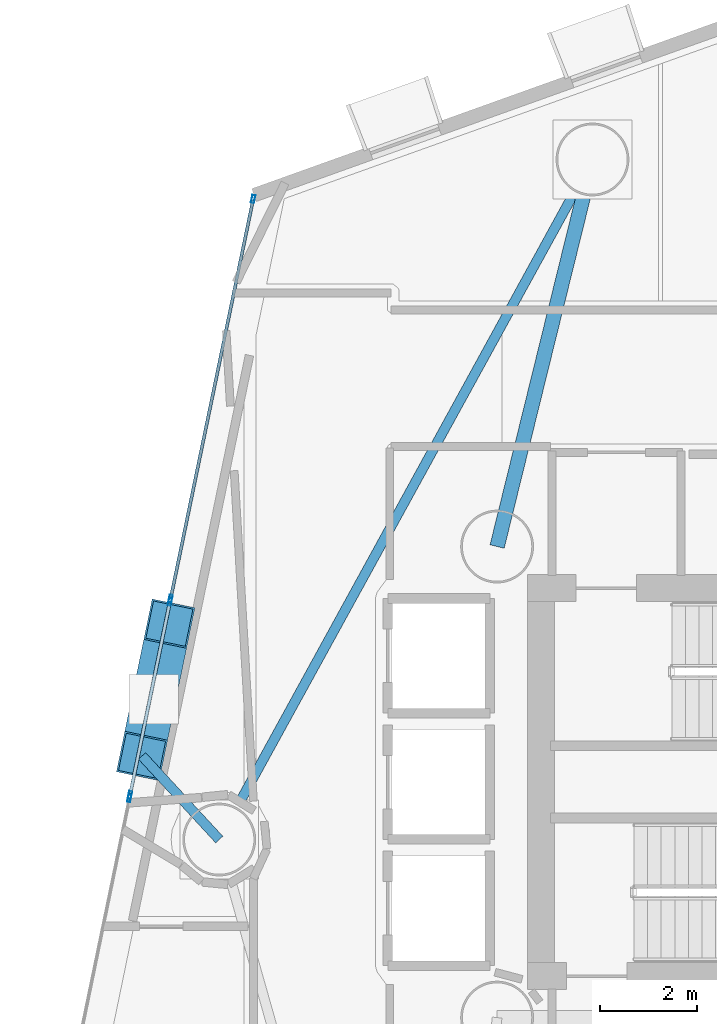
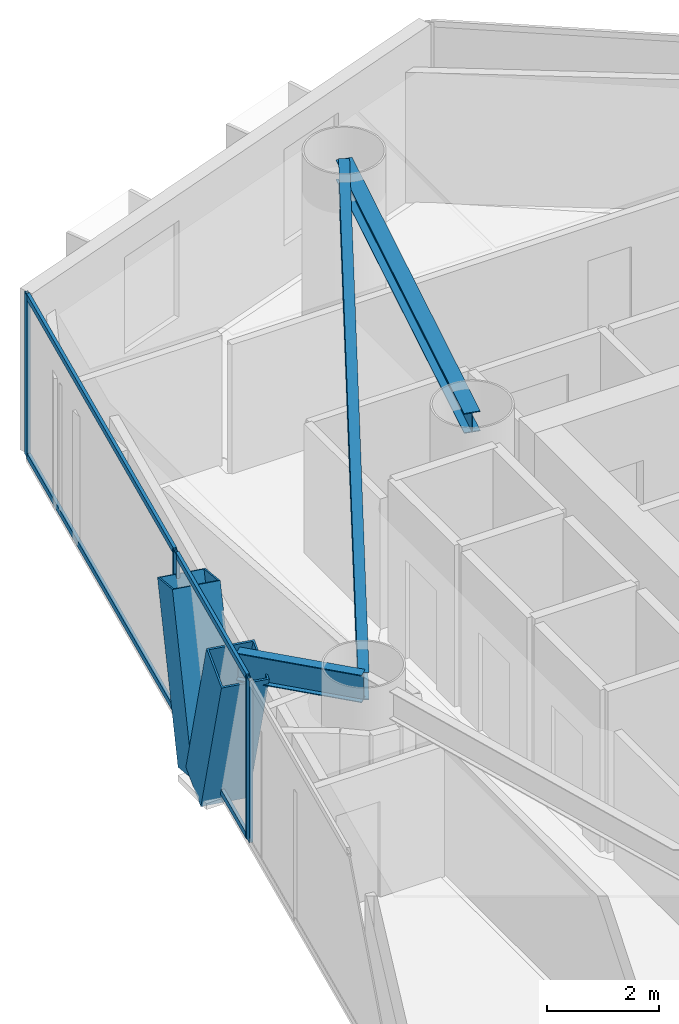
# One storey, part 6 of 18: 11 members, 3 beams, 3 elements without a shape of their own.
"""IFC4 building model written with IfcOpenShell, lengths in metres."""

import ifcopenshell
import ifcopenshell.guid

model = None  # the IFC model being written
_history = None  # IfcOwnerHistory: only IFC2X3 demands one
_inside = {}  # id of a spatial element -> (the spatial element, [elements in it])
_under = {}  # id of a project, library or spatial element -> (it, [spatial elements below it])
_declared = {}  # id of a project -> (the project, [libraries it declares])
_typed = {}  # id of a type object -> (the type object, [elements of that type])
_made_of = {}  # id of a material, layer set ... -> (it, [elements and type objects made of it])


def new_model(schema):
    """Start an empty IFC model of exactly this schema.

    Asked for "IFC4X3", IfcOpenShell would pick the latest addendum, in which some entities
    have other attributes; the version numbers below select the first issue.
    IFC2X3 requires an IfcOwnerHistory on every rooted entity: one is made here for all.
    """
    global model, _history
    if schema == "IFC4X3":
        model = ifcopenshell.file(schema_version=(4, 3, 0, 0))
    else:
        model = ifcopenshell.file(schema=schema)
    _inside.clear()
    _under.clear()
    _declared.clear()
    _typed.clear()
    _made_of.clear()
    _history = None
    if model.schema == "IFC2X3":
        org = make("IfcOrganization", Name="unknown")
        user = make(
            "IfcPersonAndOrganization",
            ThePerson=make("IfcPerson", FamilyName="unknown"),
            TheOrganization=org,
        )
        app = make(
            "IfcApplication",
            ApplicationDeveloper=org,
            Version="unknown",
            ApplicationFullName="unknown",
            ApplicationIdentifier="unknown",
        )
        _history = make(
            "IfcOwnerHistory",
            OwningUser=user,
            OwningApplication=app,
            ChangeAction="ADDED",
            CreationDate=0,
        )
    return model


def make(cls, **values):
    """One entity of the class cls with the attributes given. An attribute that is None is left unset."""
    return model.create_entity(
        cls, **{name: value for name, value in values.items() if value is not None}
    )


def rooted(cls, **values):
    """An entity with a GlobalId (a new one), such as an element, a storey or a relation."""
    return make(cls, GlobalId=ifcopenshell.guid.new(), OwnerHistory=_history, **values)


def si_unit(unit_type, name, prefix=None):
    """IfcSIUnit, for example si_unit("LENGTHUNIT", "METRE", prefix="MILLI")."""
    return make("IfcSIUnit", UnitType=unit_type, Prefix=prefix, Name=name)


def assignment(units):
    """IfcUnitAssignment: the units of a project."""
    return None if units is None else make("IfcUnitAssignment", Units=units)


def point(xyz):
    """IfcCartesianPoint."""
    return None if xyz is None else make("IfcCartesianPoint", Coordinates=xyz)


def direction(xyz):
    """IfcDirection."""
    return None if xyz is None else make("IfcDirection", DirectionRatios=xyz)


def frame(location, z_axis=None, x_axis=None):
    """IfcAxis2Placement3D, a coordinate frame: its origin and axes. An axis left out is left unset."""
    return make(
        "IfcAxis2Placement3D",
        Location=point(location),
        Axis=direction(z_axis),
        RefDirection=direction(x_axis),
    )


def frame_2d(location, x_axis=None):
    """IfcAxis2Placement2D, a coordinate frame in the plane: its origin and x axis."""
    return make(
        "IfcAxis2Placement2D", Location=point(location), RefDirection=direction(x_axis)
    )


def origin():
    """The frame at (0, 0, 0) with its axes left unset."""
    return frame((0.0, 0.0, 0.0))


def origin_2d():
    """The frame at (0, 0) in the plane with its x axis left unset."""
    return frame_2d((0.0, 0.0))


def place(relative_to, where):
    """IfcLocalPlacement: puts the frame where relative to a parent placement (None: the world)."""
    return make(
        "IfcLocalPlacement", PlacementRelTo=relative_to, RelativePlacement=where
    )


def context(
    kind, dimensions, precision=None, world=None, true_north=None, identifier=None
):
    """IfcGeometricRepresentationContext, for example the 3D "Model" context."""
    return make(
        "IfcGeometricRepresentationContext",
        ContextIdentifier=identifier,
        ContextType=kind,
        CoordinateSpaceDimension=dimensions,
        Precision=precision,
        WorldCoordinateSystem=world,
        TrueNorth=true_north,
    )


def subcontext(parent, identifier, kind, view, scale=None):
    """IfcGeometricRepresentationSubContext, for example "Body" below "Model"."""
    return make(
        "IfcGeometricRepresentationSubContext",
        ContextIdentifier=identifier,
        ContextType=kind,
        ParentContext=parent,
        TargetScale=scale,
        TargetView=view,
    )


def project(units=None, contexts=None):
    """IfcProject with its units and contexts."""
    return rooted(
        "IfcProject",
        Name="project",
        RepresentationContexts=contexts,
        UnitsInContext=assignment(units),
    )


def spatial(cls, under=None, at=None, **own):
    """A site, building, storey or space (cls), placed at a placement, below another one or the project."""
    s = rooted(cls, ObjectPlacement=at, **own)
    if under is not None:
        _under.setdefault(under.id(), (under, []))[1].append(s)
    return s


def profile(cls, at=None, kind="AREA", **sizes):
    """A parametric profile (cls). Its sizes go by their IFC names, for example OverallWidth=200.0."""
    return make(cls, ProfileType=kind, Position=at, **sizes)


def hollow_rectangle(**sizes):
    """IfcRectangleHollowProfileDef."""
    return profile("IfcRectangleHollowProfileDef", **sizes)


def i_section(**sizes):
    """IfcIShapeProfileDef."""
    return profile("IfcIShapeProfileDef", **sizes)


def extrude(swept, where, along, depth):
    """IfcExtrudedAreaSolid: the profile swept, set in the frame where, extruded along a direction by depth."""
    return make(
        "IfcExtrudedAreaSolid",
        SweptArea=swept,
        Position=where,
        ExtrudedDirection=direction(along),
        Depth=depth,
    )


def shape(context_of_items, identifier, shape_type, items):
    """IfcShapeRepresentation: the items that make up one representation, for example the "Body"."""
    return make(
        "IfcShapeRepresentation",
        ContextOfItems=context_of_items,
        RepresentationIdentifier=identifier,
        RepresentationType=shape_type,
        Items=items,
    )


def material(Name=None, Category=None):
    """IfcMaterial."""
    return make("IfcMaterial", Name=Name, Category=Category)


def layer(
    of_material, thickness, ventilated=None, Name=None, Category=None, Priority=None
):
    """IfcMaterialLayer: one layer of a wall or slab, of a material (None: an air gap)."""
    return make(
        "IfcMaterialLayer",
        Material=of_material,
        LayerThickness=thickness,
        IsVentilated=ventilated,
        Name=Name,
        Category=Category,
        Priority=Priority,
    )


def layer_set(layers, Name=None):
    """IfcMaterialLayerSet."""
    return make("IfcMaterialLayerSet", MaterialLayers=layers, LayerSetName=Name)


def material_profile(
    of_material, cross_section, Name=None, Category=None, Priority=None
):
    """IfcMaterialProfile: a cross section and its material."""
    return make(
        "IfcMaterialProfile",
        Name=Name,
        Material=of_material,
        Profile=cross_section,
        Priority=Priority,
        Category=Category,
    )


def profile_set(profiles, Name=None, composite=None):
    """IfcMaterialProfileSet."""
    return make(
        "IfcMaterialProfileSet",
        Name=Name,
        MaterialProfiles=profiles,
        CompositeProfile=composite,
    )


def made_of(thing, what):
    """Note that an element or type object is made of a material, layer set ...; save() writes the relation."""
    if what is not None:
        _made_of.setdefault(what.id(), (what, []))[1].append(thing)
    return thing


def type_object(cls, material=None, **own):
    """A type object (cls), such as IfcWallType, which elements share."""
    return made_of(rooted(cls, **own), material)


def element(
    cls,
    number,
    at=None,
    inside=None,
    cuts=None,
    type_object=None,
    material=None,
    context=None,
    identifier="Body",
    shape_type=None,
    held_by="IfcProductDefinitionShape",
    body=None,
    shapes=None,
    **own,
):
    """One element of the class cls, such as IfcWall. Its Tag is "e" and its number.

    at: its placement. inside: the storey or other place that contains it. cuts: it is an
    opening in that element (IfcRelVoidsElement). A single representation is given by context,
    identifier, shape_type and body (its items); several are given by shapes. held_by: the class
    of the entity that holds the representations. save() writes the other relations.
    """
    e = rooted(cls, Tag="e%d" % number, ObjectPlacement=at, **own)
    if body is not None:
        shapes = [shape(context, identifier, shape_type, body)]
    if shapes is not None:
        e.Representation = make(held_by, Representations=shapes)
    if inside is not None:
        _inside.setdefault(inside.id(), (inside, []))[1].append(e)
    if cuts is not None:
        rooted(
            "IfcRelVoidsElement", RelatingBuildingElement=cuts, RelatedOpeningElement=e
        )
    if type_object is not None:
        _typed.setdefault(type_object.id(), (type_object, []))[1].append(e)
    return made_of(e, material)


def aggregate(whole, parts):
    """IfcRelAggregates: a whole, such as a stair, and the parts it consists of."""
    return rooted("IfcRelAggregates", RelatingObject=whole, RelatedObjects=parts)


def save(model, path):
    """Write the relations noted so far, then the file.

    IfcRelAggregates (storeys below a building ...), IfcRelContainedInSpatialStructure (elements
    in a storey), IfcRelDefinesByType, IfcRelAssociatesMaterial and IfcRelDeclares: one each for
    every whole, place, type object, material and project.
    """
    for whole, parts in _under.values():
        aggregate(whole, parts)
    for where, things in _inside.values():
        rooted(
            "IfcRelContainedInSpatialStructure",
            RelatedElements=things,
            RelatingStructure=where,
        )
    for kind, things in _typed.values():
        rooted("IfcRelDefinesByType", RelatedObjects=things, RelatingType=kind)
    for what, things in _made_of.values():
        rooted("IfcRelAssociatesMaterial", RelatedObjects=things, RelatingMaterial=what)
    for by, libraries in _declared.values():
        rooted("IfcRelDeclares", RelatingContext=by, RelatedDefinitions=libraries)
    model.write(path)


model = new_model("IFC4")

# Units and contexts
model_context = context("Model", 3, precision=1e-05, world=origin(), true_north=direction((0.0, 1.0)))
body_context = subcontext(model_context, "Body", "Model", "MODEL_VIEW")
ifc_project = project(units=[si_unit("LENGTHUNIT", "METRE"), si_unit("AREAUNIT", "SQUARE_METRE"), si_unit("VOLUMEUNIT", "CUBIC_METRE"), si_unit("PLANEANGLEUNIT", "RADIAN"), si_unit("MASSUNIT", "GRAM", prefix="KILO")], contexts=[model_context])

# Site, building, storey
site_placement = place(None, origin())
site = spatial("IfcSite", under=ifc_project, at=site_placement, CompositionType="ELEMENT")
building_placement = place(site_placement, origin())
building = spatial("IfcBuilding", under=site, at=building_placement, Name="Qianvela Tower", CompositionType="ELEMENT")
storey_placement = place(building_placement, frame((0.0, 0.0, 97.800048828125)))
storey = spatial("IfcBuildingStorey", under=building, at=storey_placement, Name="L24", CompositionType="ELEMENT", Elevation=97.800048828125)

# Beams
ifc_material_1 = material(Name="Steel Q355B", Category="steel")
ifc_material_profile_1 = material_profile(ifc_material_1, i_section(OverallWidth=0.300048828125, OverallDepth=0.43994140625, WebThickness=0.010986328125, FlangeThickness=0.01806640625, at=origin_2d()), Name="HM440x300x11x18")
ifc_profile_set_1 = profile_set([ifc_material_profile_1], Name="Steel Q355B")
beam_type_1 = type_object("IfcBeamType", Name="BM-HM440-COLL", PredefinedType="BEAM", material=ifc_profile_set_1)
beam_1_placement = place(storey_placement, frame((28.60009765625, 33.550048828125, 3.2978515625), z_axis=(0.239224384232, 0.970964311388, 0.0), x_axis=(-0.970964311388, 0.239224384232, 0.0)))
element("IfcBeam", 1, at=beam_1_placement, inside=storey, type_object=beam_type_1, Name="L24 Perimeter Ring Tie Girder 2B", PredefinedType="BEAM", context=body_context, shape_type="SweptSolid", body=[
    extrude(i_section(OverallWidth=0.300048828125, OverallDepth=0.43994140625, WebThickness=0.010986328125, FlangeThickness=0.01806640625, at=origin_2d()), origin(), (0.0, 0.0, 1.0), 8.209228515625),
])
ifc_material_2 = material(Name="Steel Q355B", Category="steel")
ifc_material_profile_2 = material_profile(ifc_material_2, i_section(OverallWidth=0.199951171875, OverallDepth=0.60009765625, WebThickness=0.010986328125, FlangeThickness=0.01708984375, at=origin_2d()), Name="HN600x200x11x17")
ifc_profile_set_2 = profile_set([ifc_material_profile_2], Name="Steel Q355B")
beam_type_2 = type_object("IfcBeamType", Name="BM-HN600-GIRD", PredefinedType="BEAM", material=ifc_profile_set_2)
beam_2_placement = place(storey_placement, frame((22.8779296875, 27.51611328125, 3.218017578125), z_axis=(-0.678258469449, 0.734823413223, 0.0), x_axis=(-0.734823413223, -0.678258469449, 0.0)))
element("IfcBeam", 2, at=beam_2_placement, inside=storey, type_object=beam_type_2, Name="L24 Mega-Brace Column Tie Bracket F2-2", PredefinedType="BEAM", context=body_context, shape_type="SweptSolid", body=[
    extrude(i_section(OverallWidth=0.199951171875, OverallDepth=0.60009765625, WebThickness=0.010986328125, FlangeThickness=0.01708984375, at=origin_2d()), origin(), (0.0, 0.0, 1.0), 2.34375),
])
beam_3_placement = place(storey_placement, frame((30.56396484375, 41.52099609375, 3.218017578125), z_axis=(-0.481118353038, -0.876655650965, 0.0), x_axis=(0.876655650965, -0.481118353038, 0.0)))
element("IfcBeam", 3, at=beam_3_placement, inside=storey, type_object=beam_type_2, Name="L24 Perimeter Ring Spandrel Girder 3", PredefinedType="BEAM", context=body_context, shape_type="SweptSolid", body=[
    extrude(i_section(OverallWidth=0.199951171875, OverallDepth=0.60009765625, WebThickness=0.010986328125, FlangeThickness=0.01708984375, at=origin_2d()), origin(), (0.0, 0.0, 1.0), 15.975341796875),
])

# Curtain wall, members
ifc_material_3 = material(Name="Anodised Architectural Aluminium and Insulated Spandrel Panel", Category="aluminium")
ifc_layer_1 = layer(ifc_material_3, 0.179931640625)
ifc_layer_set_1 = layer_set([ifc_layer_1], Name="Anodised Architectural Aluminium and Insulated Spandrel Panel")
curtain_wall_type_1 = type_object("IfcCurtainWallType", Name="CW-BRACEBAY", PredefinedType="USERDEFINED", material=ifc_layer_set_1)
curtain_wall_1_placement = place(storey_placement, origin())
curtain_wall_1 = element("IfcCurtainWall", 4, at=curtain_wall_1_placement, inside=storey, type_object=curtain_wall_type_1, Name="L24 CW-BRACEBAY Curtain Wall 04B", ObjectType="CURTAIN_WALL_SYSTEM", PredefinedType="USERDEFINED")
ifc_material_4 = material(Name="Anodised Architectural Aluminium 6063-T6", Category="aluminium")
ifc_material_profile_3 = material_profile(ifc_material_4, hollow_rectangle(XDim=0.06494140625, YDim=0.159912109375, WallThickness=0.0048828125, at=origin_2d()), Name="ALU-MULL-65x160")
ifc_profile_set_3 = profile_set([ifc_material_profile_3], Name="Anodised Architectural Aluminium 6063-T6")
member_type_1 = type_object("IfcMemberType", Name="CW-BRACEBAY-MULL", PredefinedType="MULLION", material=ifc_profile_set_3)
member_1_placement = place(storey_placement, frame((21.863037109375, 32.4130859375, 0.0), z_axis=(0.0, 0.0, 1.0), x_axis=(0.979293702573, -0.202444669233, 0.0)))
member_1 = element("IfcMember", 5, at=member_1_placement, type_object=member_type_1, Name="CW-9 mullion 1", PredefinedType="MULLION", context=body_context, shape_type="SweptSolid", body=[
    extrude(hollow_rectangle(XDim=0.06494140625, YDim=0.159912109375, WallThickness=0.0048828125, at=origin_2d()), origin(), (0.0, 0.0, 1.0), 3.52001953125),
])
member_2_placement = place(storey_placement, frame((21.0400390625, 28.432373046875, 0.0), z_axis=(0.0, 0.0, 1.0), x_axis=(0.979293702573, -0.202444669233, 0.0)))
member_2 = element("IfcMember", 6, at=member_2_placement, type_object=member_type_1, Name="CW-9 mullion 2", PredefinedType="MULLION", context=body_context, shape_type="SweptSolid", body=[
    extrude(hollow_rectangle(XDim=0.06494140625, YDim=0.159912109375, WallThickness=0.0048828125, at=origin_2d()), origin(), (0.0, 0.0, 1.0), 3.52001953125),
])
ifc_material_5 = material(Name="Anodised Architectural Aluminium 6063-T6", Category="aluminium")
ifc_material_profile_4 = material_profile(ifc_material_5, hollow_rectangle(XDim=0.06494140625, YDim=0.1298828125, WallThickness=0.00439453125, at=origin_2d()), Name="ALU-TRAN-65x130")
ifc_profile_set_4 = profile_set([ifc_material_profile_4], Name="Anodised Architectural Aluminium 6063-T6")
member_type_2 = type_object("IfcMemberType", Name="CW-BRACEBAY-TRAN", PredefinedType="USERDEFINED", material=ifc_profile_set_4)
member_3_placement = place(storey_placement, frame((21.8564453125, 32.38134765625, 0.032470703125), z_axis=(-0.202450197603, -0.979292559703, 0.0), x_axis=(0.979292559703, -0.202450197603, 0.0)))
member_3 = element("IfcMember", 7, at=member_3_placement, type_object=member_type_2, Name="CW-9 transom 1.1", ObjectType="TRANSOM", PredefinedType="USERDEFINED", context=body_context, shape_type="SweptSolid", body=[
    extrude(hollow_rectangle(XDim=0.06494140625, YDim=0.1298828125, WallThickness=0.00439453125, at=origin_2d()), origin(), (0.0, 0.0, 1.0), 4.0),
])
member_4_placement = place(storey_placement, frame((21.8564453125, 32.38134765625, 3.487548828125), z_axis=(-0.202450197603, -0.979292559703, 0.0), x_axis=(0.979292559703, -0.202450197603, 0.0)))
member_4 = element("IfcMember", 8, at=member_4_placement, type_object=member_type_2, Name="CW-9 transom 1.2", ObjectType="TRANSOM", PredefinedType="USERDEFINED", context=body_context, shape_type="SweptSolid", body=[
    extrude(hollow_rectangle(XDim=0.06494140625, YDim=0.1298828125, WallThickness=0.00439453125, at=origin_2d()), origin(), (0.0, 0.0, 1.0), 4.0),
])
aggregate(curtain_wall_1, [member_1, member_2, member_3, member_4])

ifc_material_6 = material(Name="Anodised Architectural Aluminium and Low-E Glass", Category="aluminium")
ifc_layer_2 = layer(ifc_material_6, 0.169921875)
ifc_layer_set_2 = layer_set([ifc_layer_2], Name="Anodised Architectural Aluminium and Low-E Glass")
curtain_wall_type_2 = type_object("IfcCurtainWallType", Name="CW-COLIV-Z34", PredefinedType="USERDEFINED", material=ifc_layer_set_2)
curtain_wall_2_placement = place(storey_placement, origin())
curtain_wall_2 = element("IfcCurtainWall", 9, at=curtain_wall_2_placement, inside=storey, type_object=curtain_wall_type_2, Name="L24 CW-COLIV-Z34 Curtain Wall 04A", ObjectType="CURTAIN_WALL_SYSTEM", PredefinedType="USERDEFINED")
ifc_material_7 = material(Name="Anodised Architectural Aluminium 6063-T6", Category="aluminium")
ifc_material_profile_5 = material_profile(ifc_material_7, hollow_rectangle(XDim=0.06494140625, YDim=0.159912109375, WallThickness=0.0048828125, at=origin_2d()), Name="ALU-MULL-65x160")
ifc_profile_set_5 = profile_set([ifc_material_profile_5], Name="Anodised Architectural Aluminium 6063-T6")
member_type_3 = type_object("IfcMemberType", Name="CW-COLIV-Z34-MULL", PredefinedType="MULLION", material=ifc_profile_set_5)
member_5_placement = place(storey_placement, frame((23.57763671875, 40.707763671875, 0.0), z_axis=(0.0, 0.0, 1.0), x_axis=(0.97929376571, -0.202444363817, 0.0)))
member_5 = element("IfcMember", 10, at=member_5_placement, type_object=member_type_3, Name="CW-4 mullion 1", PredefinedType="MULLION", context=body_context, shape_type="SweptSolid", body=[
    extrude(hollow_rectangle(XDim=0.06494140625, YDim=0.159912109375, WallThickness=0.0048828125, at=origin_2d()), origin(), (0.0, 0.0, 1.0), 3.52001953125),
])
member_6_placement = place(storey_placement, frame((21.876220703125, 32.476806640625, 0.0), z_axis=(0.0, 0.0, 1.0), x_axis=(0.97929376571, -0.202444363817, 0.0)))
member_6 = element("IfcMember", 11, at=member_6_placement, type_object=member_type_3, Name="CW-4 mullion 2", PredefinedType="MULLION", context=body_context, shape_type="SweptSolid", body=[
    extrude(hollow_rectangle(XDim=0.06494140625, YDim=0.159912109375, WallThickness=0.0048828125, at=origin_2d()), origin(), (0.0, 0.0, 1.0), 3.52001953125),
])

# Curtain wall, member
curtain_wall_3_placement = place(storey_placement, origin())
curtain_wall_3 = element("IfcCurtainWall", 12, at=curtain_wall_3_placement, inside=storey, type_object=curtain_wall_type_2, Name="L24 CW-COLIV-Z34 Curtain Wall 04C", ObjectType="CURTAIN_WALL_SYSTEM", PredefinedType="USERDEFINED")
member_7_placement = place(storey_placement, frame((21.02685546875, 28.36865234375, 0.0), z_axis=(0.0, 0.0, 1.0), x_axis=(0.979293281137, -0.202446707851, 0.0)))
member_7 = element("IfcMember", 13, at=member_7_placement, type_object=member_type_3, Name="CW-4 mullion 1", PredefinedType="MULLION", context=body_context, shape_type="SweptSolid", body=[
    extrude(hollow_rectangle(XDim=0.06494140625, YDim=0.159912109375, WallThickness=0.0048828125, at=origin_2d()), origin(), (0.0, 0.0, 1.0), 3.52001953125),
])
aggregate(curtain_wall_3, [member_7])

# Member
ifc_material_8 = material(Name="Anodised Architectural Aluminium 6063-T6", Category="aluminium")
ifc_material_profile_6 = material_profile(ifc_material_8, hollow_rectangle(XDim=0.06494140625, YDim=0.1298828125, WallThickness=0.00439453125, at=origin_2d()), Name="ALU-TRAN-65x130")
ifc_profile_set_6 = profile_set([ifc_material_profile_6], Name="Anodised Architectural Aluminium 6063-T6")
member_type_4 = type_object("IfcMemberType", Name="CW-COLIV-Z34-TRAN", PredefinedType="USERDEFINED", material=ifc_profile_set_6)
member_8_placement = place(storey_placement, frame((23.571044921875, 40.676025390625, 0.032470703125), z_axis=(-0.202422652723, -0.979298253682, 0.0), x_axis=(0.979298253682, -0.202422652723, 0.0)))
member_8 = element("IfcMember", 14, at=member_8_placement, type_object=member_type_4, Name="CW-4 transom 1.1", ObjectType="TRANSOM", PredefinedType="USERDEFINED", context=body_context, shape_type="SweptSolid", body=[
    extrude(hollow_rectangle(XDim=0.06494140625, YDim=0.1298828125, WallThickness=0.00439453125, at=origin_2d()), origin(), (0.0, 0.0, 1.0), 8.340087890625),
])

member_9_placement = place(storey_placement, frame((23.571044921875, 40.676025390625, 3.487548828125), z_axis=(-0.202422652723, -0.979298253682, 0.0), x_axis=(0.979298253682, -0.202422652723, 0.0)))
member_9 = element("IfcMember", 15, at=member_9_placement, type_object=member_type_4, Name="CW-4 transom 1.2", ObjectType="TRANSOM", PredefinedType="USERDEFINED", context=body_context, shape_type="SweptSolid", body=[
    extrude(hollow_rectangle(XDim=0.06494140625, YDim=0.1298828125, WallThickness=0.00439453125, at=origin_2d()), origin(), (0.0, 0.0, 1.0), 8.340087890625),
])

aggregate(curtain_wall_2, [member_5, member_6, member_8, member_9])

# Members
ifc_material_9 = material(Name="Steel Q420GJC", Category="steel")
ifc_material_profile_7 = material_profile(ifc_material_9, hollow_rectangle(XDim=0.89990234375, YDim=0.89990234375, WallThickness=0.035888671875, at=origin_2d()), Name="MBOX-900x900x36")
ifc_profile_set_7 = profile_set([ifc_material_profile_7], Name="Steel Q420GJC")
member_type_5 = type_object("IfcMemberType", Name="MBR-MBRACE-900", PredefinedType="BRACE", material=ifc_profile_set_7)
for number, where, z_axis, x_axis, name in (
    (16, (21.614501953125, 30.815673828125, -0.14013671875), (0.066656384919, 0.322435674526, 0.944241580393), (-0.979293214059, 0.202447032329, 0.0), "L24 Tier 4 Exterior Mega-Brace F2A"),
    (17, (21.525390625, 30.384765625, -0.14013671875), (-0.066657860203, -0.322374162216, 0.944262478979), (0.979284666383, -0.202488375438, 0.0), "L24 Tier 4 Exterior Mega-Brace F2B"),
):
    element("IfcMember", number, at=place(storey_placement, frame(where, z_axis=z_axis, x_axis=x_axis)), inside=storey, type_object=member_type_5, Name=name, PredefinedType="BRACE", context=body_context, shape_type="SweptSolid", body=[
        extrude(hollow_rectangle(XDim=0.89990234375, YDim=0.89990234375, WallThickness=0.035888671875, at=origin_2d()), origin(), (0.0, 0.0, 1.0), 3.556396484375),
    ])

save(model, "model.ifc")
